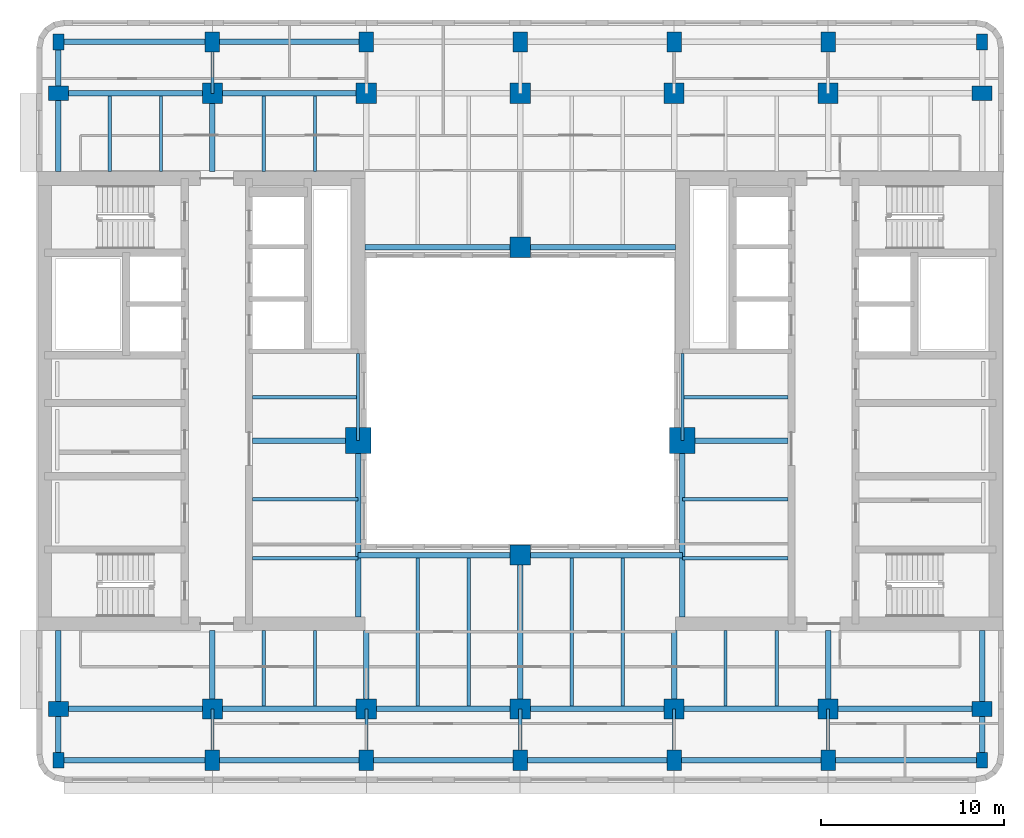
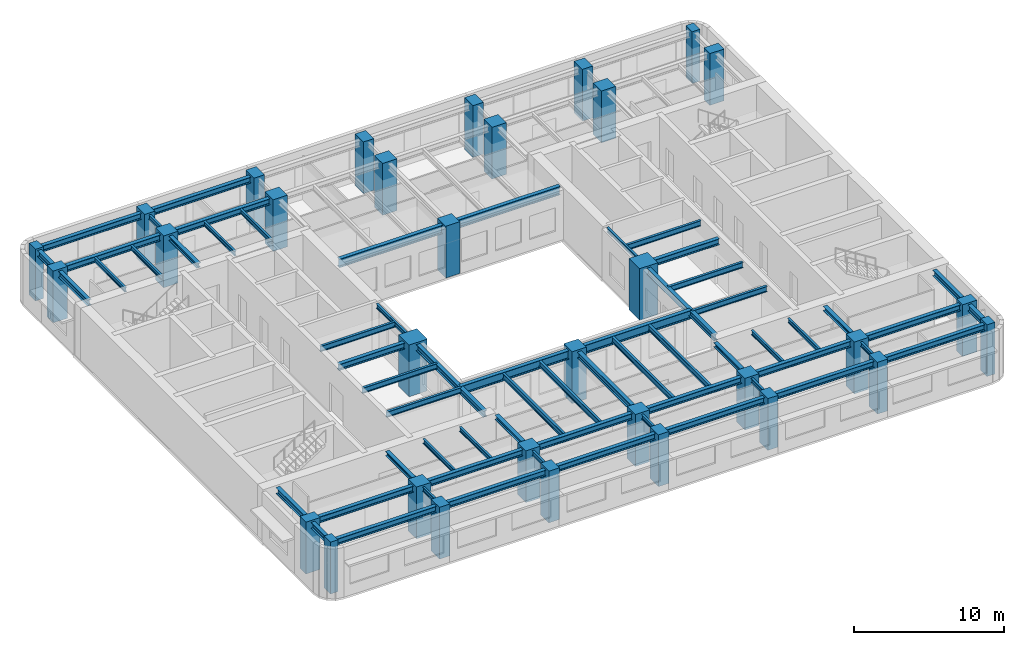
# One storey, part 1 of 11: 62 beams, 32 columns.
"""IFC4 building model written with IfcOpenShell, lengths in metres."""

import ifcopenshell
import ifcopenshell.guid

model = None  # the IFC model being written
_history = None  # IfcOwnerHistory: only IFC2X3 demands one
_inside = {}  # id of a spatial element -> (the spatial element, [elements in it])
_under = {}  # id of a project, library or spatial element -> (it, [spatial elements below it])
_declared = {}  # id of a project -> (the project, [libraries it declares])
_typed = {}  # id of a type object -> (the type object, [elements of that type])
_made_of = {}  # id of a material, layer set ... -> (it, [elements and type objects made of it])


def new_model(schema):
    """Start an empty IFC model of exactly this schema.

    Asked for "IFC4X3", IfcOpenShell would pick the latest addendum, in which some entities
    have other attributes; the version numbers below select the first issue.
    IFC2X3 requires an IfcOwnerHistory on every rooted entity: one is made here for all.
    """
    global model, _history
    if schema == "IFC4X3":
        model = ifcopenshell.file(schema_version=(4, 3, 0, 0))
    else:
        model = ifcopenshell.file(schema=schema)
    _inside.clear()
    _under.clear()
    _declared.clear()
    _typed.clear()
    _made_of.clear()
    _history = None
    if model.schema == "IFC2X3":
        org = make("IfcOrganization", Name="unknown")
        user = make(
            "IfcPersonAndOrganization",
            ThePerson=make("IfcPerson", FamilyName="unknown"),
            TheOrganization=org,
        )
        app = make(
            "IfcApplication",
            ApplicationDeveloper=org,
            Version="unknown",
            ApplicationFullName="unknown",
            ApplicationIdentifier="unknown",
        )
        _history = make(
            "IfcOwnerHistory",
            OwningUser=user,
            OwningApplication=app,
            ChangeAction="ADDED",
            CreationDate=0,
        )
    return model


def make(cls, **values):
    """One entity of the class cls with the attributes given. An attribute that is None is left unset."""
    return model.create_entity(
        cls, **{name: value for name, value in values.items() if value is not None}
    )


def rooted(cls, **values):
    """An entity with a GlobalId (a new one), such as an element, a storey or a relation."""
    return make(cls, GlobalId=ifcopenshell.guid.new(), OwnerHistory=_history, **values)


def si_unit(unit_type, name, prefix=None):
    """IfcSIUnit, for example si_unit("LENGTHUNIT", "METRE", prefix="MILLI")."""
    return make("IfcSIUnit", UnitType=unit_type, Prefix=prefix, Name=name)


def assignment(units):
    """IfcUnitAssignment: the units of a project."""
    return None if units is None else make("IfcUnitAssignment", Units=units)


def point(xyz):
    """IfcCartesianPoint."""
    return None if xyz is None else make("IfcCartesianPoint", Coordinates=xyz)


def direction(xyz):
    """IfcDirection."""
    return None if xyz is None else make("IfcDirection", DirectionRatios=xyz)


def frame(location, z_axis=None, x_axis=None):
    """IfcAxis2Placement3D, a coordinate frame: its origin and axes. An axis left out is left unset."""
    return make(
        "IfcAxis2Placement3D",
        Location=point(location),
        Axis=direction(z_axis),
        RefDirection=direction(x_axis),
    )


def frame_2d(location, x_axis=None):
    """IfcAxis2Placement2D, a coordinate frame in the plane: its origin and x axis."""
    return make(
        "IfcAxis2Placement2D", Location=point(location), RefDirection=direction(x_axis)
    )


def origin():
    """The frame at (0, 0, 0) with its axes left unset."""
    return frame((0.0, 0.0, 0.0))


def origin_2d():
    """The frame at (0, 0) in the plane with its x axis left unset."""
    return frame_2d((0.0, 0.0))


def place(relative_to, where):
    """IfcLocalPlacement: puts the frame where relative to a parent placement (None: the world)."""
    return make(
        "IfcLocalPlacement", PlacementRelTo=relative_to, RelativePlacement=where
    )


def context(
    kind, dimensions, precision=None, world=None, true_north=None, identifier=None
):
    """IfcGeometricRepresentationContext, for example the 3D "Model" context."""
    return make(
        "IfcGeometricRepresentationContext",
        ContextIdentifier=identifier,
        ContextType=kind,
        CoordinateSpaceDimension=dimensions,
        Precision=precision,
        WorldCoordinateSystem=world,
        TrueNorth=true_north,
    )


def subcontext(parent, identifier, kind, view, scale=None):
    """IfcGeometricRepresentationSubContext, for example "Body" below "Model"."""
    return make(
        "IfcGeometricRepresentationSubContext",
        ContextIdentifier=identifier,
        ContextType=kind,
        ParentContext=parent,
        TargetScale=scale,
        TargetView=view,
    )


def project(units=None, contexts=None):
    """IfcProject with its units and contexts."""
    return rooted(
        "IfcProject",
        Name="project",
        RepresentationContexts=contexts,
        UnitsInContext=assignment(units),
    )


def spatial(cls, under=None, at=None, **own):
    """A site, building, storey or space (cls), placed at a placement, below another one or the project."""
    s = rooted(cls, ObjectPlacement=at, **own)
    if under is not None:
        _under.setdefault(under.id(), (under, []))[1].append(s)
    return s


def profile(cls, at=None, kind="AREA", **sizes):
    """A parametric profile (cls). Its sizes go by their IFC names, for example OverallWidth=200.0."""
    return make(cls, ProfileType=kind, Position=at, **sizes)


def rectangle(**sizes):
    """IfcRectangleProfileDef."""
    return profile("IfcRectangleProfileDef", **sizes)


def i_section(**sizes):
    """IfcIShapeProfileDef."""
    return profile("IfcIShapeProfileDef", **sizes)


def extrude(swept, where, along, depth):
    """IfcExtrudedAreaSolid: the profile swept, set in the frame where, extruded along a direction by depth."""
    return make(
        "IfcExtrudedAreaSolid",
        SweptArea=swept,
        Position=where,
        ExtrudedDirection=direction(along),
        Depth=depth,
    )


def shape(context_of_items, identifier, shape_type, items):
    """IfcShapeRepresentation: the items that make up one representation, for example the "Body"."""
    return make(
        "IfcShapeRepresentation",
        ContextOfItems=context_of_items,
        RepresentationIdentifier=identifier,
        RepresentationType=shape_type,
        Items=items,
    )


def material(Name=None, Category=None):
    """IfcMaterial."""
    return make("IfcMaterial", Name=Name, Category=Category)


def material_profile(
    of_material, cross_section, Name=None, Category=None, Priority=None
):
    """IfcMaterialProfile: a cross section and its material."""
    return make(
        "IfcMaterialProfile",
        Name=Name,
        Material=of_material,
        Profile=cross_section,
        Priority=Priority,
        Category=Category,
    )


def profile_set(profiles, Name=None, composite=None):
    """IfcMaterialProfileSet."""
    return make(
        "IfcMaterialProfileSet",
        Name=Name,
        MaterialProfiles=profiles,
        CompositeProfile=composite,
    )


def made_of(thing, what):
    """Note that an element or type object is made of a material, layer set ...; save() writes the relation."""
    if what is not None:
        _made_of.setdefault(what.id(), (what, []))[1].append(thing)
    return thing


def type_object(cls, material=None, **own):
    """A type object (cls), such as IfcWallType, which elements share."""
    return made_of(rooted(cls, **own), material)


def element(
    cls,
    number,
    at=None,
    inside=None,
    cuts=None,
    type_object=None,
    material=None,
    context=None,
    identifier="Body",
    shape_type=None,
    held_by="IfcProductDefinitionShape",
    body=None,
    shapes=None,
    **own,
):
    """One element of the class cls, such as IfcWall. Its Tag is "e" and its number.

    at: its placement. inside: the storey or other place that contains it. cuts: it is an
    opening in that element (IfcRelVoidsElement). A single representation is given by context,
    identifier, shape_type and body (its items); several are given by shapes. held_by: the class
    of the entity that holds the representations. save() writes the other relations.
    """
    e = rooted(cls, Tag="e%d" % number, ObjectPlacement=at, **own)
    if body is not None:
        shapes = [shape(context, identifier, shape_type, body)]
    if shapes is not None:
        e.Representation = make(held_by, Representations=shapes)
    if inside is not None:
        _inside.setdefault(inside.id(), (inside, []))[1].append(e)
    if cuts is not None:
        rooted(
            "IfcRelVoidsElement", RelatingBuildingElement=cuts, RelatedOpeningElement=e
        )
    if type_object is not None:
        _typed.setdefault(type_object.id(), (type_object, []))[1].append(e)
    return made_of(e, material)


def aggregate(whole, parts):
    """IfcRelAggregates: a whole, such as a stair, and the parts it consists of."""
    return rooted("IfcRelAggregates", RelatingObject=whole, RelatedObjects=parts)


def save(model, path):
    """Write the relations noted so far, then the file.

    IfcRelAggregates (storeys below a building ...), IfcRelContainedInSpatialStructure (elements
    in a storey), IfcRelDefinesByType, IfcRelAssociatesMaterial and IfcRelDeclares: one each for
    every whole, place, type object, material and project.
    """
    for whole, parts in _under.values():
        aggregate(whole, parts)
    for where, things in _inside.values():
        rooted(
            "IfcRelContainedInSpatialStructure",
            RelatedElements=things,
            RelatingStructure=where,
        )
    for kind, things in _typed.values():
        rooted("IfcRelDefinesByType", RelatedObjects=things, RelatingType=kind)
    for what, things in _made_of.values():
        rooted("IfcRelAssociatesMaterial", RelatedObjects=things, RelatingMaterial=what)
    for by, libraries in _declared.values():
        rooted("IfcRelDeclares", RelatingContext=by, RelatedDefinitions=libraries)
    model.write(path)


model = new_model("IFC4")

# Units and contexts
model_context = context("Model", 3, precision=1e-05, world=origin(), true_north=direction((0.0, 1.0)))
body_context = subcontext(model_context, "Body", "Model", "MODEL_VIEW")
ifc_project = project(units=[si_unit("LENGTHUNIT", "METRE"), si_unit("AREAUNIT", "SQUARE_METRE"), si_unit("VOLUMEUNIT", "CUBIC_METRE"), si_unit("PLANEANGLEUNIT", "RADIAN"), si_unit("MASSUNIT", "GRAM", prefix="KILO")], contexts=[model_context])

# Site, building, storey
site_placement = place(None, origin())
site = spatial("IfcSite", under=ifc_project, at=site_placement, CompositionType="ELEMENT")
building_placement = place(site_placement, origin())
building = spatial("IfcBuilding", under=site, at=building_placement, Name="Claustro Exchange Tower", CompositionType="ELEMENT")
storey_placement = place(building_placement, frame((0.0, 0.0, 215.39990234375)))
storey = spatial("IfcBuildingStorey", under=building, at=storey_placement, Name="L49", CompositionType="ELEMENT", Elevation=215.39990234375)

# Columns
ifc_material_1 = material(Name="Concrete HA-70 (C70/85)", Category="concrete")
ifc_material_profile_1 = material_profile(ifc_material_1, rectangle(XDim=1.39990234375, YDim=1.39990234375, at=origin_2d()), Name="RC 1400x1400")
ifc_profile_set_1 = profile_set([ifc_material_profile_1], Name="Concrete HA-70 (C70/85)")
column_type_1 = type_object("IfcColumnType", Name="C0 RC 1400x1400 HA-70 column", PredefinedType="COLUMN", material=ifc_profile_set_1)
for number, where, z_axis, x_axis, name in (
    (1, (16.35009765625, 23.050048828125, 0.0), (0.0, 0.0, 1.0), (1.0, 0.0, 0.0), "Column C0 2+7950/C+6250 L49"),
    (2, (34.050048828125, 23.050048828125, 0.0), (0.0, 0.0, 1.0), (1.0, 0.0, 0.0), "Column C0 5+450/C+6250 L49"),
):
    element("IfcColumn", number, at=place(storey_placement, frame(where, z_axis=z_axis, x_axis=x_axis)), inside=storey, type_object=column_type_1, Name=name, PredefinedType="COLUMN", context=body_context, shape_type="SweptSolid", body=[
        extrude(rectangle(XDim=1.39990234375, YDim=1.39990234375, at=origin_2d()), origin(), (0.0, 0.0, 1.0), 4.2001953125),
    ])
ifc_material_2 = material(Name="Concrete HA-70 (C70/85)", Category="concrete")
ifc_material_profile_2 = material_profile(ifc_material_2, rectangle(XDim=1.10009765625, YDim=1.10009765625, at=origin_2d()), Name="RC 1100x1100")
ifc_profile_set_2 = profile_set([ifc_material_profile_2], Name="Concrete HA-70 (C70/85)")
column_type_2 = type_object("IfcColumnType", Name="C17 RC 1100x1100 HA-70 column", PredefinedType="COLUMN", material=ifc_profile_set_2)
for number, where, z_axis, x_axis, name in (
    (3, (8.39990234375, 8.39990234375, 0.0), (0.0, 0.0, 1.0), (1.0, 0.0, 0.0), "Column C17 2/B L49"),
    (4, (8.39990234375, 42.0, 0.0), (0.0, 0.0, 1.0), (1.0, 0.0, 0.0), "Column C17 2/F L49"),
    (5, (16.800048828125, 8.39990234375, 0.0), (0.0, 0.0, 1.0), (1.0, 0.0, 0.0), "Column C17 3/B L49"),
    (6, (16.800048828125, 42.0, 0.0), (0.0, 0.0, 1.0), (1.0, 0.0, 0.0), "Column C17 3/F L49"),
    (7, (25.199951171875, 8.39990234375, 0.0), (0.0, 0.0, 1.0), (1.0, 0.0, 0.0), "Column C17 4/B L49"),
    (8, (25.199951171875, 42.0, 0.0), (0.0, 0.0, 1.0), (1.0, 0.0, 0.0), "Column C17 4/F L49"),
    (9, (25.199951171875, 16.800048828125, 0.0), (0.0, 0.0, 1.0), (1.0, 0.0, 0.0), "Column C17 4/C L49"),
    (10, (25.199951171875, 33.60009765625, 0.0), (0.0, 0.0, 1.0), (1.0, 0.0, 0.0), "Column C17 4/E L49"),
    (11, (33.60009765625, 8.39990234375, 0.0), (0.0, 0.0, 1.0), (1.0, 0.0, 0.0), "Column C17 5/B L49"),
    (12, (33.60009765625, 42.0, 0.0), (0.0, 0.0, 1.0), (1.0, 0.0, 0.0), "Column C17 5/F L49"),
    (13, (42.0, 8.39990234375, 0.0), (0.0, 0.0, 1.0), (1.0, 0.0, 0.0), "Column C17 6/B L49"),
    (14, (42.0, 42.0, 0.0), (0.0, 0.0, 1.0), (1.0, 0.0, 0.0), "Column C17 6/F L49"),
):
    element("IfcColumn", number, at=place(storey_placement, frame(where, z_axis=z_axis, x_axis=x_axis)), inside=storey, type_object=column_type_2, Name=name, PredefinedType="COLUMN", context=body_context, shape_type="SweptSolid", body=[
        extrude(rectangle(XDim=1.10009765625, YDim=1.10009765625, at=origin_2d()), origin(), (0.0, 0.0, 1.0), 4.2001953125),
    ])
ifc_material_3 = material(Name="Concrete HA-50 (C50/60)", Category="concrete")
ifc_material_profile_3 = material_profile(ifc_material_3, rectangle(XDim=0.800048828125, YDim=1.10009765625, at=origin_2d()), Name="RC 800x1100")
ifc_profile_set_3 = profile_set([ifc_material_profile_3], Name="Concrete HA-50 (C50/60)")
column_type_3 = type_object("IfcColumnType", Name="C23 RC 800x1100 HA-50 perimeter column", PredefinedType="COLUMN", material=ifc_profile_set_3)
for number, where, z_axis, x_axis, name in (
    (15, (0.0, 8.39990234375, 0.0), (0.0, 0.0, 1.0), (0.0, 1.0, 0.0), "Column C23 1/B L49"),
    (16, (0.0, 42.0, 0.0), (0.0, 0.0, 1.0), (0.0, 1.0, 0.0), "Column C23 1/F L49"),
    (17, (8.39990234375, 5.60009765625, 0.0), (0.0, 0.0, 1.0), (1.0, 0.0, 0.0), "Column C23 2/A+5600 L49"),
    (18, (8.39990234375, 44.800048828125, 0.0), (0.0, 0.0, 1.0), (1.0, 0.0, 0.0), "Column C23 2/F+2800 L49"),
    (19, (16.800048828125, 5.60009765625, 0.0), (0.0, 0.0, 1.0), (1.0, 0.0, 0.0), "Column C23 3/A+5600 L49"),
    (20, (16.800048828125, 44.800048828125, 0.0), (0.0, 0.0, 1.0), (1.0, 0.0, 0.0), "Column C23 3/F+2800 L49"),
    (21, (25.199951171875, 5.60009765625, 0.0), (0.0, 0.0, 1.0), (1.0, 0.0, 0.0), "Column C23 4/A+5600 L49"),
    (22, (25.199951171875, 44.800048828125, 0.0), (0.0, 0.0, 1.0), (1.0, 0.0, 0.0), "Column C23 4/F+2800 L49"),
    (23, (33.60009765625, 5.60009765625, 0.0), (0.0, 0.0, 1.0), (1.0, 0.0, 0.0), "Column C23 5/A+5600 L49"),
    (24, (33.60009765625, 44.800048828125, 0.0), (0.0, 0.0, 1.0), (1.0, 0.0, 0.0), "Column C23 5/F+2800 L49"),
    (25, (42.0, 5.60009765625, 0.0), (0.0, 0.0, 1.0), (1.0, 0.0, 0.0), "Column C23 6/A+5600 L49"),
    (26, (42.0, 44.800048828125, 0.0), (0.0, 0.0, 1.0), (1.0, 0.0, 0.0), "Column C23 6/F+2800 L49"),
    (27, (50.39990234375, 8.39990234375, 0.0), (0.0, 0.0, 1.0), (0.0, 1.0, 0.0), "Column C23 7/B L49"),
    (28, (50.39990234375, 42.0, 0.0), (0.0, 0.0, 1.0), (0.0, 1.0, 0.0), "Column C23 7/F L49"),
):
    element("IfcColumn", number, at=place(storey_placement, frame(where, z_axis=z_axis, x_axis=x_axis)), inside=storey, type_object=column_type_3, Name=name, PredefinedType="COLUMN", context=body_context, shape_type="SweptSolid", body=[
        extrude(rectangle(XDim=0.800048828125, YDim=1.10009765625, at=origin_2d()), origin(), (0.0, 0.0, 1.0), 4.2001953125),
    ])
ifc_material_4 = material(Name="Concrete HA-50 (C50/60)", Category="concrete")
ifc_material_profile_4 = material_profile(ifc_material_4, rectangle(XDim=0.60009765625, YDim=0.85009765625, at=origin_2d()), Name="RC 600x850")
ifc_profile_set_4 = profile_set([ifc_material_profile_4], Name="Concrete HA-50 (C50/60)")
column_type_4 = type_object("IfcColumnType", Name="C25 RC 600x850 HA-50 corner column", PredefinedType="COLUMN", material=ifc_profile_set_4)
for number, where, z_axis, x_axis, name in (
    (29, (0.0, 5.60009765625, 0.0), (0.0, 0.0, 1.0), (1.0, 0.0, 0.0), "Column C25 1/A+5600 L49"),
    (30, (0.0, 44.800048828125, 0.0), (0.0, 0.0, 1.0), (1.0, 0.0, 0.0), "Column C25 1/F+2800 L49"),
    (31, (50.39990234375, 5.60009765625, 0.0), (0.0, 0.0, 1.0), (1.0, 0.0, 0.0), "Column C25 7/A+5600 L49"),
    (32, (50.39990234375, 44.800048828125, 0.0), (0.0, 0.0, 1.0), (1.0, 0.0, 0.0), "Column C25 7/F+2800 L49"),
):
    element("IfcColumn", number, at=place(storey_placement, frame(where, z_axis=z_axis, x_axis=x_axis)), inside=storey, type_object=column_type_4, Name=name, PredefinedType="COLUMN", context=body_context, shape_type="SweptSolid", body=[
        extrude(rectangle(XDim=0.60009765625, YDim=0.85009765625, at=origin_2d()), origin(), (0.0, 0.0, 1.0), 4.2001953125),
    ])

# Beams
ifc_material_5 = material(Name="Steel S355", Category="steel")
ifc_material_profile_5 = material_profile(ifc_material_5, i_section(OverallWidth=0.300048828125, OverallDepth=0.68994140625, WebThickness=0.014404296875, FlangeThickness=0.027099609375, FilletRadius=0.027099609375, at=origin_2d()), Name="HE 700 A")
ifc_profile_set_5 = profile_set([ifc_material_profile_5], Name="Steel S355")
beam_type_1 = type_object("IfcBeamType", Name="B13 HE 700 A light well edge girder", PredefinedType="BEAM", material=ifc_profile_set_5)
beam_1_placement = place(storey_placement, frame((16.35009765625, 16.800048828125, 3.705078125), z_axis=(1.0, 0.0, 0.0), x_axis=(0.0, 1.0, 0.0)))
element("IfcBeam", 33, at=beam_1_placement, inside=storey, type_object=beam_type_1, Name="Beam B13 L50", PredefinedType="BEAM", context=body_context, shape_type="SweptSolid", body=[
    extrude(i_section(OverallWidth=0.300048828125, OverallDepth=0.68994140625, WebThickness=0.014404296875, FlangeThickness=0.027099609375, FilletRadius=0.027099609375, at=origin_2d()), origin(), (0.0, 0.0, 1.0), 8.849853515625),
])
beam_2_placement = place(storey_placement, frame((25.199951171875, 16.800048828125, 3.705078125), z_axis=(1.0, 0.0, 0.0), x_axis=(0.0, 1.0, 0.0)))
element("IfcBeam", 34, at=beam_2_placement, inside=storey, type_object=beam_type_1, Name="Beam B13 L50", PredefinedType="BEAM", context=body_context, shape_type="SweptSolid", body=[
    extrude(i_section(OverallWidth=0.300048828125, OverallDepth=0.68994140625, WebThickness=0.014404296875, FlangeThickness=0.027099609375, FilletRadius=0.027099609375, at=origin_2d()), origin(), (0.0, 0.0, 1.0), 8.85009765625),
])
beam_3_placement = place(storey_placement, frame((16.72509765625, 33.60009765625, 3.705078125), z_axis=(1.0, 0.0, 0.0), x_axis=(0.0, 1.0, 0.0)))
element("IfcBeam", 35, at=beam_3_placement, inside=storey, type_object=beam_type_1, Name="Beam B13 L50", PredefinedType="BEAM", context=body_context, shape_type="SweptSolid", body=[
    extrude(i_section(OverallWidth=0.300048828125, OverallDepth=0.68994140625, WebThickness=0.014404296875, FlangeThickness=0.027099609375, FilletRadius=0.027099609375, at=origin_2d()), origin(), (0.0, 0.0, 1.0), 8.474853515625),
])
beam_4_placement = place(storey_placement, frame((25.199951171875, 33.60009765625, 3.705078125), z_axis=(1.0, 0.0, 0.0), x_axis=(0.0, 1.0, 0.0)))
element("IfcBeam", 36, at=beam_4_placement, inside=storey, type_object=beam_type_1, Name="Beam B13 L50", PredefinedType="BEAM", context=body_context, shape_type="SweptSolid", body=[
    extrude(i_section(OverallWidth=0.300048828125, OverallDepth=0.68994140625, WebThickness=0.014404296875, FlangeThickness=0.027099609375, FilletRadius=0.027099609375, at=origin_2d()), origin(), (0.0, 0.0, 1.0), 8.47509765625),
])
ifc_material_6 = material(Name="Steel S355", Category="steel")
ifc_material_profile_6 = material_profile(ifc_material_6, i_section(OverallWidth=0.169921875, OverallDepth=0.360107421875, WebThickness=0.008056640625, FlangeThickness=0.0126953125, FilletRadius=0.01806640625, at=origin_2d()), Name="IPE 360")
ifc_profile_set_6 = profile_set([ifc_material_profile_6], Name="Steel S355")
beam_type_2 = type_object("IfcBeamType", Name="B16 IPE 360 short-span beam", PredefinedType="BEAM", material=ifc_profile_set_6)
beam_5_placement = place(storey_placement, frame((8.39990234375, 5.60009765625, 3.8701171875), z_axis=(0.0, 1.0, 0.0), x_axis=(-1.0, 0.0, 0.0)))
element("IfcBeam", 37, at=beam_5_placement, inside=storey, type_object=beam_type_2, Name="Beam B16 L50", PredefinedType="BEAM", context=body_context, shape_type="SweptSolid", body=[
    extrude(i_section(OverallWidth=0.169921875, OverallDepth=0.360107421875, WebThickness=0.008056640625, FlangeThickness=0.0126953125, FilletRadius=0.01806640625, at=origin_2d()), origin(), (0.0, 0.0, 1.0), 2.7998046875),
])
beam_6_placement = place(storey_placement, frame((8.39990234375, 42.0, 3.8701171875), z_axis=(0.0, 1.0, 0.0), x_axis=(-1.0, 0.0, 0.0)))
element("IfcBeam", 38, at=beam_6_placement, inside=storey, type_object=beam_type_2, Name="Beam B16 L50", PredefinedType="BEAM", context=body_context, shape_type="SweptSolid", body=[
    extrude(i_section(OverallWidth=0.169921875, OverallDepth=0.360107421875, WebThickness=0.008056640625, FlangeThickness=0.0126953125, FilletRadius=0.01806640625, at=origin_2d()), origin(), (0.0, 0.0, 1.0), 2.800048828125),
])
for number, where, z_axis, x_axis, name in (
    (39, (16.800048828125, 5.60009765625, 3.8701171875), (0.0, 1.0, 0.0), (-1.0, 0.0, 0.0), "Beam B16 L50"),
    (40, (25.199951171875, 5.60009765625, 3.8701171875), (0.0, 1.0, 0.0), (-1.0, 0.0, 0.0), "Beam B16 L50"),
    (41, (33.60009765625, 5.60009765625, 3.8701171875), (0.0, 1.0, 0.0), (-1.0, 0.0, 0.0), "Beam B16 L50"),
    (42, (42.0, 5.60009765625, 3.8701171875), (0.0, 1.0, 0.0), (-1.0, 0.0, 0.0), "Beam B16 L50"),
):
    element("IfcBeam", number, at=place(storey_placement, frame(where, z_axis=z_axis, x_axis=x_axis)), inside=storey, type_object=beam_type_2, Name=name, PredefinedType="BEAM", context=body_context, shape_type="SweptSolid", body=[
        extrude(i_section(OverallWidth=0.169921875, OverallDepth=0.360107421875, WebThickness=0.008056640625, FlangeThickness=0.0126953125, FilletRadius=0.01806640625, at=origin_2d()), origin(), (0.0, 0.0, 1.0), 2.7998046875),
    ])
for number, where, z_axis, x_axis, name in (
    (43, (2.800048828125, 37.72509765625, 3.8701171875), (0.0, 1.0, 0.0), (-1.0, 0.0, 0.0), "Beam B16 L50"),
    (44, (5.60009765625, 37.72509765625, 3.8701171875), (0.0, 1.0, 0.0), (-1.0, 0.0, 0.0), "Beam B16 L50"),
    (45, (11.199951171875, 8.550048828125, 3.8701171875), (0.0, 1.0, 0.0), (-1.0, 0.0, 0.0), "Beam B16 L50"),
    (46, (14.0, 8.550048828125, 3.8701171875), (0.0, 1.0, 0.0), (-1.0, 0.0, 0.0), "Beam B16 L50"),
    (47, (11.199951171875, 37.72509765625, 3.8701171875), (0.0, 1.0, 0.0), (-1.0, 0.0, 0.0), "Beam B16 L50"),
    (48, (14.0, 37.72509765625, 3.8701171875), (0.0, 1.0, 0.0), (-1.0, 0.0, 0.0), "Beam B16 L50"),
    (49, (36.39990234375, 8.550048828125, 3.8701171875), (0.0, 1.0, 0.0), (-1.0, 0.0, 0.0), "Beam B16 L50"),
    (50, (39.199951171875, 8.550048828125, 3.8701171875), (0.0, 1.0, 0.0), (-1.0, 0.0, 0.0), "Beam B16 L50"),
):
    element("IfcBeam", number, at=place(storey_placement, frame(where, z_axis=z_axis, x_axis=x_axis)), inside=storey, type_object=beam_type_2, Name=name, PredefinedType="BEAM", context=body_context, shape_type="SweptSolid", body=[
        extrude(i_section(OverallWidth=0.169921875, OverallDepth=0.360107421875, WebThickness=0.008056640625, FlangeThickness=0.0126953125, FilletRadius=0.01806640625, at=origin_2d()), origin(), (0.0, 0.0, 1.0), 4.125),
    ])
for number, where, z_axis, x_axis, name in (
    (51, (16.35009765625, 23.050048828125, 3.8701171875), (0.0, 1.0, 0.0), (-1.0, 0.0, 0.0), "Beam B16 core step framing L50"),
    (52, (34.050048828125, 23.050048828125, 3.8701171875), (0.0, 1.0, 0.0), (-1.0, 0.0, 0.0), "Beam B16 core step framing L50"),
):
    element("IfcBeam", number, at=place(storey_placement, frame(where, z_axis=z_axis, x_axis=x_axis)), inside=storey, type_object=beam_type_2, Name=name, PredefinedType="BEAM", context=body_context, shape_type="SweptSolid", body=[
        extrude(i_section(OverallWidth=0.169921875, OverallDepth=0.360107421875, WebThickness=0.008056640625, FlangeThickness=0.0126953125, FilletRadius=0.01806640625, at=origin_2d()), origin(), (0.0, 0.0, 1.0), 4.75),
    ])
ifc_material_7 = material(Name="Steel S355", Category="steel")
ifc_material_profile_7 = material_profile(ifc_material_7, i_section(OverallWidth=0.300048828125, OverallDepth=0.360107421875, WebThickness=0.012451171875, FlangeThickness=0.0224609375, FilletRadius=0.027099609375, at=origin_2d()), Name="HE 360 B")
ifc_profile_set_7 = profile_set([ifc_material_profile_7], Name="Steel S355")
beam_type_3 = type_object("IfcBeamType", Name="B29 HE 360 B column to core link beam", PredefinedType="BEAM", material=ifc_profile_set_7)
beam_7_placement = place(storey_placement, frame((8.39990234375, 8.39990234375, 3.8701171875), z_axis=(0.0, 1.0, 0.0), x_axis=(-1.0, 0.0, 0.0)))
element("IfcBeam", 53, at=beam_7_placement, inside=storey, type_object=beam_type_3, Name="Beam B29 L50", PredefinedType="BEAM", context=body_context, shape_type="SweptSolid", body=[
    extrude(i_section(OverallWidth=0.300048828125, OverallDepth=0.360107421875, WebThickness=0.012451171875, FlangeThickness=0.0224609375, FilletRadius=0.027099609375, at=origin_2d()), origin(), (0.0, 0.0, 1.0), 4.275146484375),
])
beam_8_placement = place(storey_placement, frame((8.39990234375, 37.72509765625, 3.8701171875), z_axis=(0.0, 1.0, 0.0), x_axis=(-1.0, 0.0, 0.0)))
element("IfcBeam", 54, at=beam_8_placement, inside=storey, type_object=beam_type_3, Name="Beam B29 L50", PredefinedType="BEAM", context=body_context, shape_type="SweptSolid", body=[
    extrude(i_section(OverallWidth=0.300048828125, OverallDepth=0.360107421875, WebThickness=0.012451171875, FlangeThickness=0.0224609375, FilletRadius=0.027099609375, at=origin_2d()), origin(), (0.0, 0.0, 1.0), 4.27490234375),
])
for number, where, z_axis, x_axis, name in (
    (55, (16.800048828125, 8.39990234375, 3.8701171875), (0.0, 1.0, 0.0), (-1.0, 0.0, 0.0), "Beam B29 L50"),
    (56, (33.60009765625, 8.39990234375, 3.8701171875), (0.0, 1.0, 0.0), (-1.0, 0.0, 0.0), "Beam B29 L50"),
    (57, (42.0, 8.39990234375, 3.8701171875), (0.0, 1.0, 0.0), (-1.0, 0.0, 0.0), "Beam B29 L50"),
):
    element("IfcBeam", number, at=place(storey_placement, frame(where, z_axis=z_axis, x_axis=x_axis)), inside=storey, type_object=beam_type_3, Name=name, PredefinedType="BEAM", context=body_context, shape_type="SweptSolid", body=[
        extrude(i_section(OverallWidth=0.300048828125, OverallDepth=0.360107421875, WebThickness=0.012451171875, FlangeThickness=0.0224609375, FilletRadius=0.027099609375, at=origin_2d()), origin(), (0.0, 0.0, 1.0), 4.275146484375),
    ])
ifc_material_8 = material(Name="Steel S355", Category="steel")
ifc_material_profile_8 = material_profile(ifc_material_8, i_section(OverallWidth=0.300048828125, OverallDepth=0.5, WebThickness=0.014404296875, FlangeThickness=0.028076171875, FilletRadius=0.027099609375, at=origin_2d()), Name="HE 500 B")
ifc_profile_set_8 = profile_set([ifc_material_profile_8], Name="Steel S355")
beam_type_4 = type_object("IfcBeamType", Name="B7 HE 500 B floor girder", PredefinedType="BEAM", material=ifc_profile_set_8)
beam_9_placement = place(storey_placement, frame((25.199951171875, 8.39990234375, 3.800048828125), z_axis=(0.0, 1.0, 0.0), x_axis=(-1.0, 0.0, 0.0)))
element("IfcBeam", 58, at=beam_9_placement, inside=storey, type_object=beam_type_4, Name="Beam B7 L50", PredefinedType="BEAM", context=body_context, shape_type="SweptSolid", body=[
    extrude(i_section(OverallWidth=0.300048828125, OverallDepth=0.5, WebThickness=0.014404296875, FlangeThickness=0.028076171875, FilletRadius=0.027099609375, at=origin_2d()), origin(), (0.0, 0.0, 1.0), 8.400146484375),
])
beam_10_placement = place(storey_placement, frame((0.0, 8.39990234375, 3.800048828125), z_axis=(1.0, 0.0, 0.0), x_axis=(0.0, 1.0, 0.0)))
element("IfcBeam", 59, at=beam_10_placement, inside=storey, type_object=beam_type_4, Name="Beam B7 L50", PredefinedType="BEAM", context=body_context, shape_type="SweptSolid", body=[
    extrude(i_section(OverallWidth=0.300048828125, OverallDepth=0.5, WebThickness=0.014404296875, FlangeThickness=0.028076171875, FilletRadius=0.027099609375, at=origin_2d()), origin(), (0.0, 0.0, 1.0), 8.39990234375),
])
beam_11_placement = place(storey_placement, frame((8.39990234375, 8.39990234375, 3.800048828125), z_axis=(1.0, 0.0, 0.0), x_axis=(0.0, 1.0, 0.0)))
element("IfcBeam", 60, at=beam_11_placement, inside=storey, type_object=beam_type_4, Name="Beam B7 L50", PredefinedType="BEAM", context=body_context, shape_type="SweptSolid", body=[
    extrude(i_section(OverallWidth=0.300048828125, OverallDepth=0.5, WebThickness=0.014404296875, FlangeThickness=0.028076171875, FilletRadius=0.027099609375, at=origin_2d()), origin(), (0.0, 0.0, 1.0), 8.400146484375),
])
beam_12_placement = place(storey_placement, frame((16.800048828125, 8.39990234375, 3.800048828125), z_axis=(1.0, 0.0, 0.0), x_axis=(0.0, 1.0, 0.0)))
element("IfcBeam", 61, at=beam_12_placement, inside=storey, type_object=beam_type_4, Name="Beam B7 L50", PredefinedType="BEAM", context=body_context, shape_type="SweptSolid", body=[
    extrude(i_section(OverallWidth=0.300048828125, OverallDepth=0.5, WebThickness=0.014404296875, FlangeThickness=0.028076171875, FilletRadius=0.027099609375, at=origin_2d()), origin(), (0.0, 0.0, 1.0), 8.39990234375),
])
beam_13_placement = place(storey_placement, frame((25.199951171875, 8.39990234375, 3.800048828125), z_axis=(1.0, 0.0, 0.0), x_axis=(0.0, 1.0, 0.0)))
element("IfcBeam", 62, at=beam_13_placement, inside=storey, type_object=beam_type_4, Name="Beam B7 L50", PredefinedType="BEAM", context=body_context, shape_type="SweptSolid", body=[
    extrude(i_section(OverallWidth=0.300048828125, OverallDepth=0.5, WebThickness=0.014404296875, FlangeThickness=0.028076171875, FilletRadius=0.027099609375, at=origin_2d()), origin(), (0.0, 0.0, 1.0), 8.400146484375),
])
for number, where, z_axis, x_axis, name in (
    (63, (33.60009765625, 8.39990234375, 3.800048828125), (1.0, 0.0, 0.0), (0.0, 1.0, 0.0), "Beam B7 L50"),
    (64, (42.0, 8.39990234375, 3.800048828125), (1.0, 0.0, 0.0), (0.0, 1.0, 0.0), "Beam B7 L50"),
    (65, (0.0, 42.0, 3.800048828125), (1.0, 0.0, 0.0), (0.0, 1.0, 0.0), "Beam B7 L50"),
):
    element("IfcBeam", number, at=place(storey_placement, frame(where, z_axis=z_axis, x_axis=x_axis)), inside=storey, type_object=beam_type_4, Name=name, PredefinedType="BEAM", context=body_context, shape_type="SweptSolid", body=[
        extrude(i_section(OverallWidth=0.300048828125, OverallDepth=0.5, WebThickness=0.014404296875, FlangeThickness=0.028076171875, FilletRadius=0.027099609375, at=origin_2d()), origin(), (0.0, 0.0, 1.0), 8.39990234375),
    ])
beam_14_placement = place(storey_placement, frame((8.39990234375, 42.0, 3.800048828125), z_axis=(1.0, 0.0, 0.0), x_axis=(0.0, 1.0, 0.0)))
element("IfcBeam", 66, at=beam_14_placement, inside=storey, type_object=beam_type_4, Name="Beam B7 L50", PredefinedType="BEAM", context=body_context, shape_type="SweptSolid", body=[
    extrude(i_section(OverallWidth=0.300048828125, OverallDepth=0.5, WebThickness=0.014404296875, FlangeThickness=0.028076171875, FilletRadius=0.027099609375, at=origin_2d()), origin(), (0.0, 0.0, 1.0), 8.400146484375),
])
beam_15_placement = place(storey_placement, frame((10.60009765625, 23.050048828125, 3.800048828125), z_axis=(1.0, 0.0, 0.0), x_axis=(0.0, 1.0, 0.0)))
element("IfcBeam", 67, at=beam_15_placement, inside=storey, type_object=beam_type_4, Name="Beam B7 core step framing L50", PredefinedType="BEAM", context=body_context, shape_type="SweptSolid", body=[
    extrude(i_section(OverallWidth=0.300048828125, OverallDepth=0.5, WebThickness=0.014404296875, FlangeThickness=0.028076171875, FilletRadius=0.027099609375, at=origin_2d()), origin(), (0.0, 0.0, 1.0), 5.75),
])
beam_16_placement = place(storey_placement, frame((16.35009765625, 13.425048828125, 3.800048828125), z_axis=(0.0, 1.0, 0.0), x_axis=(-1.0, 0.0, 0.0)))
element("IfcBeam", 68, at=beam_16_placement, inside=storey, type_object=beam_type_4, Name="Beam B7 core step framing L50", PredefinedType="BEAM", context=body_context, shape_type="SweptSolid", body=[
    extrude(i_section(OverallWidth=0.300048828125, OverallDepth=0.5, WebThickness=0.014404296875, FlangeThickness=0.028076171875, FilletRadius=0.027099609375, at=origin_2d()), origin(), (0.0, 0.0, 1.0), 9.625),
])
beam_17_placement = place(storey_placement, frame((34.050048828125, 23.050048828125, 3.800048828125), z_axis=(1.0, 0.0, 0.0), x_axis=(0.0, 1.0, 0.0)))
element("IfcBeam", 69, at=beam_17_placement, inside=storey, type_object=beam_type_4, Name="Beam B7 core step framing L50", PredefinedType="BEAM", context=body_context, shape_type="SweptSolid", body=[
    extrude(i_section(OverallWidth=0.300048828125, OverallDepth=0.5, WebThickness=0.014404296875, FlangeThickness=0.028076171875, FilletRadius=0.027099609375, at=origin_2d()), origin(), (0.0, 0.0, 1.0), 5.75),
])
beam_18_placement = place(storey_placement, frame((34.050048828125, 13.425048828125, 3.800048828125), z_axis=(0.0, 1.0, 0.0), x_axis=(-1.0, 0.0, 0.0)))
element("IfcBeam", 70, at=beam_18_placement, inside=storey, type_object=beam_type_4, Name="Beam B7 core step framing L50", PredefinedType="BEAM", context=body_context, shape_type="SweptSolid", body=[
    extrude(i_section(OverallWidth=0.300048828125, OverallDepth=0.5, WebThickness=0.014404296875, FlangeThickness=0.028076171875, FilletRadius=0.027099609375, at=origin_2d()), origin(), (0.0, 0.0, 1.0), 9.625),
])
ifc_material_9 = material(Name="Steel S355", Category="steel")
ifc_material_profile_9 = material_profile(ifc_material_9, i_section(OverallWidth=0.18994140625, OverallDepth=0.449951171875, WebThickness=0.009521484375, FlangeThickness=0.0146484375, FilletRadius=0.02099609375, at=origin_2d()), Name="IPE 450")
ifc_profile_set_9 = profile_set([ifc_material_profile_9], Name="Steel S355")
beam_type_5 = type_object("IfcBeamType", Name="B8 IPE 450 secondary beam", PredefinedType="BEAM", material=ifc_profile_set_9)
for number, where, z_axis, x_axis, name in (
    (71, (19.60009765625, 8.550048828125, 3.8251953125), (0.0, 1.0, 0.0), (-1.0, 0.0, 0.0), "Beam B8 L50"),
    (72, (22.39990234375, 8.550048828125, 3.8251953125), (0.0, 1.0, 0.0), (-1.0, 0.0, 0.0), "Beam B8 L50"),
    (73, (28.0, 8.550048828125, 3.8251953125), (0.0, 1.0, 0.0), (-1.0, 0.0, 0.0), "Beam B8 L50"),
    (74, (30.800048828125, 8.550048828125, 3.8251953125), (0.0, 1.0, 0.0), (-1.0, 0.0, 0.0), "Beam B8 L50"),
):
    element("IfcBeam", number, at=place(storey_placement, frame(where, z_axis=z_axis, x_axis=x_axis)), inside=storey, type_object=beam_type_5, Name=name, PredefinedType="BEAM", context=body_context, shape_type="SweptSolid", body=[
        extrude(i_section(OverallWidth=0.18994140625, OverallDepth=0.449951171875, WebThickness=0.009521484375, FlangeThickness=0.0146484375, FilletRadius=0.02099609375, at=origin_2d()), origin(), (0.0, 0.0, 1.0), 8.099853515625),
    ])
for number, where, z_axis, x_axis, name in (
    (75, (10.60009765625, 16.63330078125, 3.8251953125), (1.0, 0.0, 0.0), (0.0, 1.0, 0.0), "Beam B8 core step framing L50"),
    (76, (10.60009765625, 19.841796875, 3.8251953125), (1.0, 0.0, 0.0), (0.0, 1.0, 0.0), "Beam B8 core step framing L50"),
    (77, (10.60009765625, 25.425048828125, 3.8251953125), (1.0, 0.0, 0.0), (0.0, 1.0, 0.0), "Beam B8 core step framing L50"),
    (78, (34.050048828125, 16.63330078125, 3.8251953125), (1.0, 0.0, 0.0), (0.0, 1.0, 0.0), "Beam B8 core step framing L50"),
    (79, (34.050048828125, 19.841796875, 3.8251953125), (1.0, 0.0, 0.0), (0.0, 1.0, 0.0), "Beam B8 core step framing L50"),
    (80, (34.050048828125, 25.425048828125, 3.8251953125), (1.0, 0.0, 0.0), (0.0, 1.0, 0.0), "Beam B8 core step framing L50"),
):
    element("IfcBeam", number, at=place(storey_placement, frame(where, z_axis=z_axis, x_axis=x_axis)), inside=storey, type_object=beam_type_5, Name=name, PredefinedType="BEAM", context=body_context, shape_type="SweptSolid", body=[
        extrude(i_section(OverallWidth=0.18994140625, OverallDepth=0.449951171875, WebThickness=0.009521484375, FlangeThickness=0.0146484375, FilletRadius=0.02099609375, at=origin_2d()), origin(), (0.0, 0.0, 1.0), 5.75),
    ])
ifc_material_10 = material(Name="Steel S355", Category="steel")
ifc_material_profile_10 = material_profile(ifc_material_10, i_section(OverallWidth=0.300048828125, OverallDepth=0.489990234375, WebThickness=0.011962890625, FlangeThickness=0.02294921875, FilletRadius=0.027099609375, at=origin_2d()), Name="HE 500 A")
ifc_profile_set_10 = profile_set([ifc_material_profile_10], Name="Steel S355")
beam_type_6 = type_object("IfcBeamType", Name="B9 HE 500 A spandrel edge girder", PredefinedType="SPANDREL", material=ifc_profile_set_10)
beam_19_placement = place(storey_placement, frame((0.0, 5.60009765625, 3.80517578125), z_axis=(0.0, 1.0, 0.0), x_axis=(-1.0, 0.0, 0.0)))
element("IfcBeam", 81, at=beam_19_placement, inside=storey, type_object=beam_type_6, Name="Beam B9 L50", PredefinedType="SPANDREL", context=body_context, shape_type="SweptSolid", body=[
    extrude(i_section(OverallWidth=0.300048828125, OverallDepth=0.489990234375, WebThickness=0.011962890625, FlangeThickness=0.02294921875, FilletRadius=0.027099609375, at=origin_2d()), origin(), (0.0, 0.0, 1.0), 2.7998046875),
])
beam_20_placement = place(storey_placement, frame((0.0, 8.39990234375, 3.80517578125), z_axis=(0.0, 1.0, 0.0), x_axis=(-1.0, 0.0, 0.0)))
element("IfcBeam", 82, at=beam_20_placement, inside=storey, type_object=beam_type_6, Name="Beam B9 L50", PredefinedType="SPANDREL", context=body_context, shape_type="SweptSolid", body=[
    extrude(i_section(OverallWidth=0.300048828125, OverallDepth=0.489990234375, WebThickness=0.011962890625, FlangeThickness=0.02294921875, FilletRadius=0.027099609375, at=origin_2d()), origin(), (0.0, 0.0, 1.0), 4.275146484375),
])
beam_21_placement = place(storey_placement, frame((0.0, 37.72509765625, 3.80517578125), z_axis=(0.0, 1.0, 0.0), x_axis=(-1.0, 0.0, 0.0)))
element("IfcBeam", 83, at=beam_21_placement, inside=storey, type_object=beam_type_6, Name="Beam B9 L50", PredefinedType="SPANDREL", context=body_context, shape_type="SweptSolid", body=[
    extrude(i_section(OverallWidth=0.300048828125, OverallDepth=0.489990234375, WebThickness=0.011962890625, FlangeThickness=0.02294921875, FilletRadius=0.027099609375, at=origin_2d()), origin(), (0.0, 0.0, 1.0), 4.27490234375),
])
beam_22_placement = place(storey_placement, frame((0.0, 42.0, 3.80517578125), z_axis=(0.0, 1.0, 0.0), x_axis=(-1.0, 0.0, 0.0)))
element("IfcBeam", 84, at=beam_22_placement, inside=storey, type_object=beam_type_6, Name="Beam B9 L50", PredefinedType="SPANDREL", context=body_context, shape_type="SweptSolid", body=[
    extrude(i_section(OverallWidth=0.300048828125, OverallDepth=0.489990234375, WebThickness=0.011962890625, FlangeThickness=0.02294921875, FilletRadius=0.027099609375, at=origin_2d()), origin(), (0.0, 0.0, 1.0), 2.800048828125),
])
beam_23_placement = place(storey_placement, frame((50.39990234375, 5.60009765625, 3.80517578125), z_axis=(0.0, 1.0, 0.0), x_axis=(-1.0, 0.0, 0.0)))
element("IfcBeam", 85, at=beam_23_placement, inside=storey, type_object=beam_type_6, Name="Beam B9 L50", PredefinedType="SPANDREL", context=body_context, shape_type="SweptSolid", body=[
    extrude(i_section(OverallWidth=0.300048828125, OverallDepth=0.489990234375, WebThickness=0.011962890625, FlangeThickness=0.02294921875, FilletRadius=0.027099609375, at=origin_2d()), origin(), (0.0, 0.0, 1.0), 2.7998046875),
])
beam_24_placement = place(storey_placement, frame((50.39990234375, 8.39990234375, 3.80517578125), z_axis=(0.0, 1.0, 0.0), x_axis=(-1.0, 0.0, 0.0)))
element("IfcBeam", 86, at=beam_24_placement, inside=storey, type_object=beam_type_6, Name="Beam B9 L50", PredefinedType="SPANDREL", context=body_context, shape_type="SweptSolid", body=[
    extrude(i_section(OverallWidth=0.300048828125, OverallDepth=0.489990234375, WebThickness=0.011962890625, FlangeThickness=0.02294921875, FilletRadius=0.027099609375, at=origin_2d()), origin(), (0.0, 0.0, 1.0), 4.275146484375),
])
beam_25_placement = place(storey_placement, frame((0.0, 5.60009765625, 3.80517578125), z_axis=(1.0, 0.0, 0.0), x_axis=(0.0, 1.0, 0.0)))
element("IfcBeam", 87, at=beam_25_placement, inside=storey, type_object=beam_type_6, Name="Beam B9 L50", PredefinedType="SPANDREL", context=body_context, shape_type="SweptSolid", body=[
    extrude(i_section(OverallWidth=0.300048828125, OverallDepth=0.489990234375, WebThickness=0.011962890625, FlangeThickness=0.02294921875, FilletRadius=0.027099609375, at=origin_2d()), origin(), (0.0, 0.0, 1.0), 8.39990234375),
])
beam_26_placement = place(storey_placement, frame((8.39990234375, 5.60009765625, 3.80517578125), z_axis=(1.0, 0.0, 0.0), x_axis=(0.0, 1.0, 0.0)))
element("IfcBeam", 88, at=beam_26_placement, inside=storey, type_object=beam_type_6, Name="Beam B9 L50", PredefinedType="SPANDREL", context=body_context, shape_type="SweptSolid", body=[
    extrude(i_section(OverallWidth=0.300048828125, OverallDepth=0.489990234375, WebThickness=0.011962890625, FlangeThickness=0.02294921875, FilletRadius=0.027099609375, at=origin_2d()), origin(), (0.0, 0.0, 1.0), 8.400146484375),
])
beam_27_placement = place(storey_placement, frame((16.800048828125, 5.60009765625, 3.80517578125), z_axis=(1.0, 0.0, 0.0), x_axis=(0.0, 1.0, 0.0)))
element("IfcBeam", 89, at=beam_27_placement, inside=storey, type_object=beam_type_6, Name="Beam B9 L50", PredefinedType="SPANDREL", context=body_context, shape_type="SweptSolid", body=[
    extrude(i_section(OverallWidth=0.300048828125, OverallDepth=0.489990234375, WebThickness=0.011962890625, FlangeThickness=0.02294921875, FilletRadius=0.027099609375, at=origin_2d()), origin(), (0.0, 0.0, 1.0), 8.39990234375),
])
beam_28_placement = place(storey_placement, frame((25.199951171875, 5.60009765625, 3.80517578125), z_axis=(1.0, 0.0, 0.0), x_axis=(0.0, 1.0, 0.0)))
element("IfcBeam", 90, at=beam_28_placement, inside=storey, type_object=beam_type_6, Name="Beam B9 L50", PredefinedType="SPANDREL", context=body_context, shape_type="SweptSolid", body=[
    extrude(i_section(OverallWidth=0.300048828125, OverallDepth=0.489990234375, WebThickness=0.011962890625, FlangeThickness=0.02294921875, FilletRadius=0.027099609375, at=origin_2d()), origin(), (0.0, 0.0, 1.0), 8.400146484375),
])
for number, where, z_axis, x_axis, name in (
    (91, (33.60009765625, 5.60009765625, 3.80517578125), (1.0, 0.0, 0.0), (0.0, 1.0, 0.0), "Beam B9 L50"),
    (92, (42.0, 5.60009765625, 3.80517578125), (1.0, 0.0, 0.0), (0.0, 1.0, 0.0), "Beam B9 L50"),
    (93, (0.0, 44.800048828125, 3.80517578125), (1.0, 0.0, 0.0), (0.0, 1.0, 0.0), "Beam B9 L50"),
):
    element("IfcBeam", number, at=place(storey_placement, frame(where, z_axis=z_axis, x_axis=x_axis)), inside=storey, type_object=beam_type_6, Name=name, PredefinedType="SPANDREL", context=body_context, shape_type="SweptSolid", body=[
        extrude(i_section(OverallWidth=0.300048828125, OverallDepth=0.489990234375, WebThickness=0.011962890625, FlangeThickness=0.02294921875, FilletRadius=0.027099609375, at=origin_2d()), origin(), (0.0, 0.0, 1.0), 8.39990234375),
    ])
beam_29_placement = place(storey_placement, frame((8.39990234375, 44.800048828125, 3.80517578125), z_axis=(1.0, 0.0, 0.0), x_axis=(0.0, 1.0, 0.0)))
element("IfcBeam", 94, at=beam_29_placement, inside=storey, type_object=beam_type_6, Name="Beam B9 L50", PredefinedType="SPANDREL", context=body_context, shape_type="SweptSolid", body=[
    extrude(i_section(OverallWidth=0.300048828125, OverallDepth=0.489990234375, WebThickness=0.011962890625, FlangeThickness=0.02294921875, FilletRadius=0.027099609375, at=origin_2d()), origin(), (0.0, 0.0, 1.0), 8.400146484375),
])

save(model, "model.ifc")
